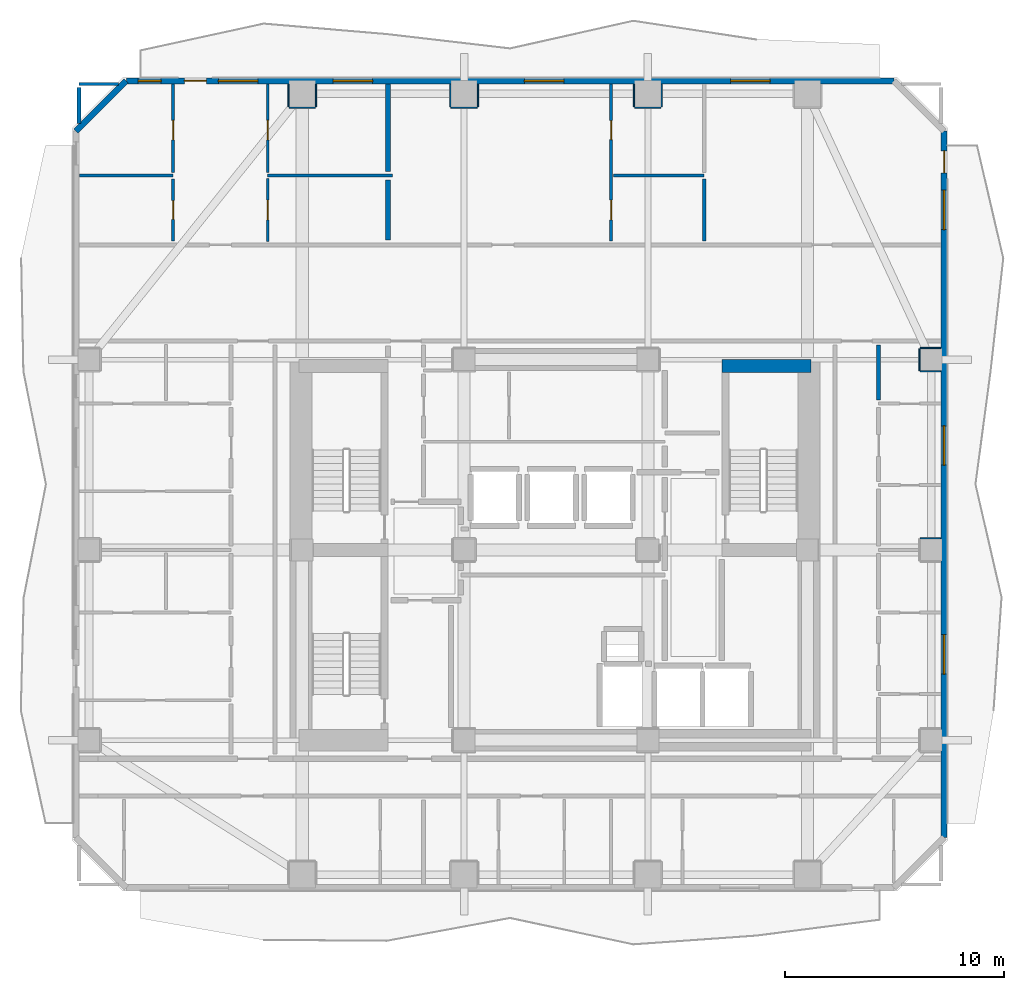
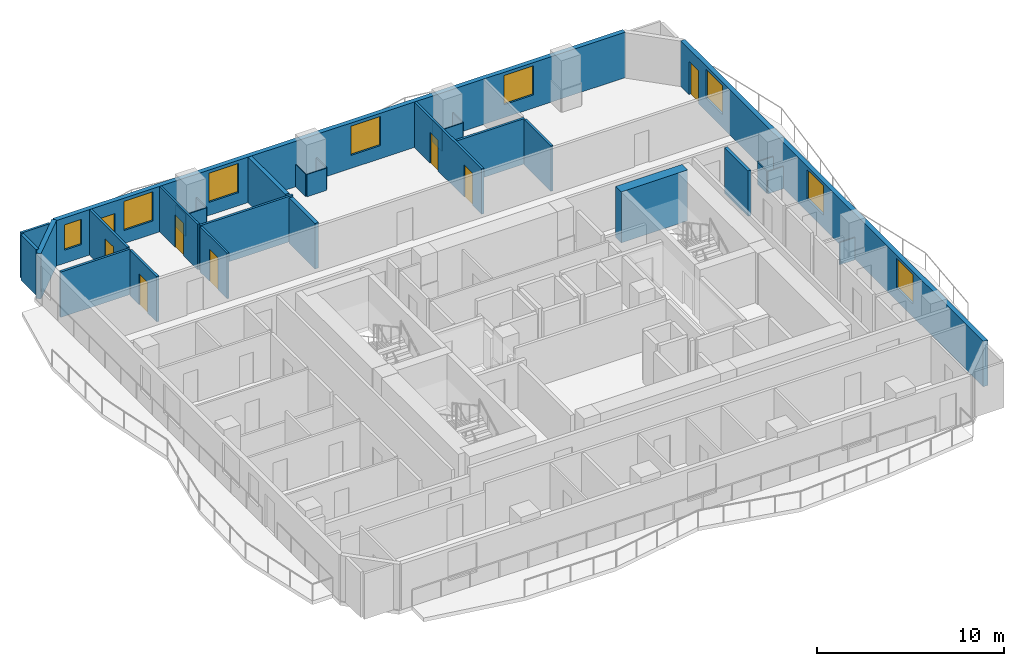
# One storey, part 6 of 11: 31 walls, 8 doors, 8 windows, 16 openings.
"""IFC4 building model written with IfcOpenShell, lengths in metres."""

from ifc_helpers import new_model, si_unit, direction, frame, frame_2d, origin, place, context, subcontext, project, spatial, rectangle, extrude, material, layer, layer_set, type_object, element, fill, save


model = new_model("IFC4")

# Units and contexts
model_context = context("Model", 3, precision=1e-05, world=origin(), true_north=direction((0.0, 1.0)))
body_context = subcontext(model_context, "Body", "Model", "MODEL_VIEW")
ifc_project = project(units=[si_unit("LENGTHUNIT", "METRE"), si_unit("AREAUNIT", "SQUARE_METRE"), si_unit("VOLUMEUNIT", "CUBIC_METRE"), si_unit("PLANEANGLEUNIT", "RADIAN"), si_unit("MASSUNIT", "GRAM", prefix="KILO")], contexts=[model_context])

# Site, building, storey
site_placement = place(None, origin())
site = spatial("IfcSite", under=ifc_project, at=site_placement, CompositionType="ELEMENT")
building_placement = place(site_placement, origin())
building = spatial("IfcBuilding", under=site, at=building_placement, Name="Solanera Arch Residences", CompositionType="ELEMENT")
storey_placement = place(building_placement, frame((0.0, 0.0, 169.159912109375)))
storey = spatial("IfcBuildingStorey", under=building, at=storey_placement, Name="L49", CompositionType="ELEMENT", Elevation=169.159912109375)

# Walls
ifc_material_1 = material(Name="Fire-Rated Gypsum Stud Partition", Category="gypsum")
ifc_layer_1 = layer(ifc_material_1, 0.06005859375)
ifc_layer_set_1 = layer_set([ifc_layer_1], Name="Fire-Rated Gypsum Stud Partition")
wall_type_1 = type_object("IfcWallType", Name="Column Acoustic Furring Wall 60", PredefinedType="PARTITIONING", material=ifc_layer_set_1)
wall_1_placement = place(storey_placement, frame((12.800048828125, 50.91796875, 0.0), z_axis=(0.0, 0.0, 1.0), x_axis=(1.0, 0.0, 0.0)))
element("IfcWall", 1, at=wall_1_placement, inside=storey, type_object=wall_type_1, Name="L49 Column Furring 10S", PredefinedType="PARTITIONING", context=body_context, shape_type="SweptSolid", body=[
    extrude(rectangle(XDim=1.199951171875, YDim=0.06005859375, at=frame_2d((0.60009765625, 0.0))), origin(), (0.0, 0.0, 1.0), 1.4501953125),
])
for number, where, z_axis, x_axis, name in (
    (2, (12.76806640625, 50.949951171875, 0.0), (0.0, 0.0, 1.0), (0.0, 1.0, 0.0), "L49 Column Furring 10W"),
    (3, (14.031982421875, 50.949951171875, 0.0), (0.0, 0.0, 1.0), (0.0, 1.0, 0.0), "L49 Column Furring 10E"),
):
    element("IfcWall", number, at=place(storey_placement, frame(where, z_axis=z_axis, x_axis=x_axis)), inside=storey, type_object=wall_type_1, Name=name, PredefinedType="PARTITIONING", context=body_context, shape_type="SweptSolid", body=[
        extrude(rectangle(XDim=1.0400390625, YDim=0.06005859375, at=frame_2d((0.52001953125, 0.0))), origin(), (0.0, 0.0, 1.0), 1.4501953125),
    ])
wall_2_placement = place(storey_placement, frame((20.199951171875, 50.91796875, 0.0), z_axis=(0.0, 0.0, 1.0), x_axis=(1.0, 0.0, 0.0)))
element("IfcWall", 4, at=wall_2_placement, inside=storey, type_object=wall_type_1, Name="L49 Column Furring 12S", PredefinedType="PARTITIONING", context=body_context, shape_type="SweptSolid", body=[
    extrude(rectangle(XDim=1.199951171875, YDim=0.06005859375, at=frame_2d((0.60009765625, 0.0))), origin(), (0.0, 0.0, 1.0), 1.4501953125),
])
for number, where, z_axis, x_axis, name in (
    (5, (20.16796875, 50.949951171875, 0.0), (0.0, 0.0, 1.0), (0.0, 1.0, 0.0), "L49 Column Furring 12W"),
    (6, (21.431884765625, 50.949951171875, 0.0), (0.0, 0.0, 1.0), (0.0, 1.0, 0.0), "L49 Column Furring 12E"),
):
    element("IfcWall", number, at=place(storey_placement, frame(where, z_axis=z_axis, x_axis=x_axis)), inside=storey, type_object=wall_type_1, Name=name, PredefinedType="PARTITIONING", context=body_context, shape_type="SweptSolid", body=[
        extrude(rectangle(XDim=1.0400390625, YDim=0.06005859375, at=frame_2d((0.52001953125, 0.0))), origin(), (0.0, 0.0, 1.0), 1.4501953125),
    ])
wall_3_placement = place(storey_placement, frame((28.60009765625, 50.91796875, 0.0), z_axis=(0.0, 0.0, 1.0), x_axis=(1.0, 0.0, 0.0)))
element("IfcWall", 7, at=wall_3_placement, inside=storey, type_object=wall_type_1, Name="L49 Column Furring 14S", PredefinedType="PARTITIONING", context=body_context, shape_type="SweptSolid", body=[
    extrude(rectangle(XDim=1.199951171875, YDim=0.06005859375, at=frame_2d((0.60009765625, 0.0))), origin(), (0.0, 0.0, 1.0), 1.4501953125),
])
for number, where, z_axis, x_axis, name in (
    (8, (28.568115234375, 50.949951171875, 0.0), (0.0, 0.0, 1.0), (0.0, 1.0, 0.0), "L49 Column Furring 14W"),
    (9, (29.83203125, 50.949951171875, 0.0), (0.0, 0.0, 1.0), (0.0, 1.0, 0.0), "L49 Column Furring 14E"),
):
    element("IfcWall", number, at=place(storey_placement, frame(where, z_axis=z_axis, x_axis=x_axis)), inside=storey, type_object=wall_type_1, Name=name, PredefinedType="PARTITIONING", context=body_context, shape_type="SweptSolid", body=[
        extrude(rectangle(XDim=1.0400390625, YDim=0.06005859375, at=frame_2d((0.52001953125, 0.0))), origin(), (0.0, 0.0, 1.0), 1.4501953125),
    ])
for number, where, z_axis, x_axis, name in (
    (10, (41.64990234375, 31.23193359375, 0.0), (0.0, 0.0, 1.0), (1.0, 0.0, 0.0), "L49 Column Furring 20N"),
    (11, (41.64990234375, 38.867919921875, 0.0), (0.0, 0.0, 1.0), (1.0, 0.0, 0.0), "L49 Column Furring 22S"),
    (12, (41.64990234375, 39.931884765625, 0.0), (0.0, 0.0, 1.0), (1.0, 0.0, 0.0), "L49 Column Furring 22N"),
):
    element("IfcWall", number, at=place(storey_placement, frame(where, z_axis=z_axis, x_axis=x_axis)), inside=storey, type_object=wall_type_1, Name=name, PredefinedType="PARTITIONING", context=body_context, shape_type="SweptSolid", body=[
        extrude(rectangle(XDim=0.940185546875, YDim=0.06005859375, at=frame_2d((0.47021484375, 0.0))), origin(), (0.0, 0.0, 1.0), 1.4501953125),
    ])
wall_4_placement = place(storey_placement, frame((41.617919921875, 38.89990234375, 0.0), z_axis=(0.0, 0.0, 1.0), x_axis=(0.0, 1.0, 0.0)))
element("IfcWall", 13, at=wall_4_placement, inside=storey, type_object=wall_type_1, Name="L49 Column Furring 22W", PredefinedType="PARTITIONING", context=body_context, shape_type="SweptSolid", body=[
    extrude(rectangle(XDim=1.0, YDim=0.06005859375, at=frame_2d((0.5, 0.0))), origin(), (0.0, 0.0, 1.0), 1.4501953125),
])
ifc_material_2 = material(Name="Concrete C40/50 (f'c = 45 MPa)", Category="concrete")
ifc_layer_2 = layer(ifc_material_2, 0.60009765625)
ifc_layer_set_2 = layer_set([ifc_layer_2], Name="Concrete C40/50 (f'c = 45 MPa)")
wall_type_2 = type_object("IfcWallType", Name="Core Shear Wall CW-600", PredefinedType="SHEAR", material=ifc_layer_set_2)
wall_5_placement = place(storey_placement, frame((32.580078125, 39.10009765625, 0.0), z_axis=(0.0, 0.0, 1.0), x_axis=(1.0, 0.0, 0.0)))
element("IfcWall", 14, at=wall_5_placement, inside=storey, type_object=wall_type_2, Name="L49 North-East Core Shear Wall", PredefinedType="SHEAR", context=body_context, shape_type="SweptSolid", body=[
    extrude(rectangle(XDim=4.079833984375, YDim=0.60009765625, at=frame_2d((2.0400390625, 0.0))), origin(), (0.0, 0.0, 1.0), 3.320068359375),
])
ifc_material_3 = material(Name="Autoclaved Aerated Concrete Blockwork", Category="masonry")
ifc_layer_3 = layer(ifc_material_3, 0.179931640625)
ifc_layer_set_3 = layer_set([ifc_layer_3], Name="Autoclaved Aerated Concrete Blockwork")
wall_type_3 = type_object("IfcWallType", Name="Corridor Fire Partition 180", PredefinedType="PARTITIONING", material=ifc_layer_set_3)
wall_6_placement = place(storey_placement, frame((3.199951171875, 50.205078125, 0.0), z_axis=(0.0, 0.0, 1.0), x_axis=(0.0, 1.0, 0.0)))
element("IfcWall", 15, at=wall_6_placement, inside=storey, type_object=wall_type_3, Name="L49 Interior Partition V7 2", PredefinedType="PARTITIONING", context=body_context, shape_type="SweptSolid", body=[
    extrude(rectangle(XDim=1.626953125, YDim=0.179931640625, at=frame_2d((0.8134765625, 0.0))), origin(), (0.0, 0.0, 1.0), 2.960205078125),
])
wall_7_placement = place(storey_placement, frame((39.75, 37.552978515625, 0.0), z_axis=(0.0, 0.0, 1.0), x_axis=(0.0, 1.0, 0.0)))
element("IfcWall", 16, at=wall_7_placement, inside=storey, type_object=wall_type_3, Name="L49 Interior Partition V14 6", PredefinedType="PARTITIONING", context=body_context, shape_type="SweptSolid", body=[
    extrude(rectangle(XDim=2.509033203125, YDim=0.179931640625, at=frame_2d((1.25439453125, 0.0))), origin(), (0.0, 0.0, 1.0), 2.960205078125),
])
ifc_material_4 = material(Name="Precast Concrete C35/45", Category="concrete")
ifc_layer_4 = layer(ifc_material_4, 0.280029296875)
ifc_layer_set_4 = layer_set([ifc_layer_4], Name="Precast Concrete C35/45")
wall_type_4 = type_object("IfcWallType", Name="Exterior Wall Precast Masonry-Frame 280", PredefinedType="STANDARD", material=ifc_layer_set_4)
wall_8_placement = place(storey_placement, frame((3.054931640625, 49.844970703125, 0.0), z_axis=(0.0, 0.0, 1.0), x_axis=(0.707106781187, 0.707106781187, 0.0)))
element("IfcWall", 17, at=wall_8_placement, inside=storey, type_object=wall_type_4, Name="L49 Tower Exterior Precast Masonry-Frame Wall CH1", PredefinedType="STANDARD", context=body_context, shape_type="SweptSolid", body=[
    extrude(rectangle(XDim=3.252685546875, YDim=0.280029296875, at=frame_2d((1.62646484375, 0.0))), origin(), (0.0, 0.0, 1.0), 2.960205078125),
])

# Wall, openings, door, windows
wall_9_placement = place(storey_placement, frame((5.35498046875, 52.14501953125, 0.0), z_axis=(0.0, 0.0, 1.0), x_axis=(1.0, 0.0, 0.0)))
wall_9 = element("IfcWall", 18, at=wall_9_placement, inside=storey, type_object=wall_type_4, Name="L49 Tower Exterior Precast Masonry-Frame Wall N", PredefinedType="STANDARD", context=body_context, shape_type="SweptSolid", body=[
    extrude(rectangle(XDim=35.090087890625, YDim=0.280029296875, at=frame_2d((17.544921875, 0.0))), origin(), (0.0, 0.0, 1.0), 2.960205078125),
])
opening_1_placement = place(wall_9_placement, frame((2.657958984375, 0.0, 0.0)))
opening_1 = element("IfcOpeningElement", 19, at=opening_1_placement, cuts=wall_9, Name="Opening DB-01", PredefinedType="OPENING", context=body_context, shape_type="SweptSolid", body=[
    extrude(rectangle(XDim=1.0, YDim=2.14990234375, at=frame_2d((0.5, 1.074951171875))), frame((0.0, 0.14990234375, 0.0), z_axis=(0.0, -1.0, 0.0), x_axis=(1.0, 0.0, 0.0)), (0.0, 0.0, 1.0), 0.3),
])
opening_2_placement = place(wall_9_placement, frame((4.2119140625, 0.0, 0.85009765625)))
opening_2 = element("IfcOpeningElement", 20, at=opening_2_placement, cuts=wall_9, Name="Opening W-03", PredefinedType="OPENING", context=body_context, shape_type="SweptSolid", body=[
    extrude(rectangle(XDim=1.800048828125, YDim=1.89990234375, at=frame_2d((0.89990234375, 0.949951171875))), frame((0.0, 0.14990234375, 0.0), z_axis=(0.0, -1.0, 0.0), x_axis=(1.0, 0.0, 0.0)), (0.0, 0.0, 1.0), 0.3),
])
opening_3_placement = place(wall_9_placement, frame((0.541015625, 0.0, 0.85009765625)))
opening_3 = element("IfcOpeningElement", 21, at=opening_3_placement, cuts=wall_9, Name="Opening W-07", PredefinedType="OPENING", context=body_context, shape_type="SweptSolid", body=[
    extrude(rectangle(XDim=1.050048828125, YDim=1.64990234375, at=frame_2d((0.52490234375, 0.824951171875))), frame((0.0, 0.14990234375, 0.0), z_axis=(0.0, -1.0, 0.0), x_axis=(1.0, 0.0, 0.0)), (0.0, 0.0, 1.0), 0.3),
])
opening_4_placement = place(wall_9_placement, frame((9.4580078125, 0.0, 0.85009765625)))
opening_4 = element("IfcOpeningElement", 22, at=opening_4_placement, cuts=wall_9, Name="Opening W-03", PredefinedType="OPENING", context=body_context, shape_type="SweptSolid", body=[
    extrude(rectangle(XDim=1.800048828125, YDim=1.89990234375, at=frame_2d((0.89990234375, 0.949951171875))), frame((0.0, 0.14990234375, 0.0), z_axis=(0.0, -1.0, 0.0), x_axis=(1.0, 0.0, 0.0)), (0.0, 0.0, 1.0), 0.3),
])
opening_5_placement = place(wall_9_placement, frame((18.205078125, 0.0, 0.85009765625)))
opening_5 = element("IfcOpeningElement", 23, at=opening_5_placement, cuts=wall_9, Name="Opening W-03", PredefinedType="OPENING", context=body_context, shape_type="SweptSolid", body=[
    extrude(rectangle(XDim=1.800048828125, YDim=1.89990234375, at=frame_2d((0.89990234375, 0.949951171875))), frame((0.0, 0.14990234375, 0.0), z_axis=(0.0, -1.0, 0.0), x_axis=(1.0, 0.0, 0.0)), (0.0, 0.0, 1.0), 0.3),
])
opening_6_placement = place(wall_9_placement, frame((27.634033203125, 0.0, 0.85009765625)))
opening_6 = element("IfcOpeningElement", 24, at=opening_6_placement, cuts=wall_9, Name="Opening W-03", PredefinedType="OPENING", context=body_context, shape_type="SweptSolid", body=[
    extrude(rectangle(XDim=1.800048828125, YDim=1.89990234375, at=frame_2d((0.89990234375, 0.949951171875))), frame((0.0, 0.14990234375, 0.0), z_axis=(0.0, -1.0, 0.0), x_axis=(1.0, 0.0, 0.0)), (0.0, 0.0, 1.0), 0.3),
])
ifc_material_5 = material(Name="Anodised Aluminium Alloy 6063-T6", Category="aluminium")
door_type_1 = type_object("IfcDoorType", Name="Glazed Balcony Swing Door DB-01", OperationType="NOTDEFINED", PredefinedType="DOOR", material=ifc_material_5)
door_1_placement = place(opening_1_placement, origin())
door_1 = element("IfcDoor", 25, at=door_1_placement, inside=storey, type_object=door_type_1, Name="DR-L49-OUT-02", OperationType="SINGLE_SWING_RIGHT", OverallHeight=2.14990234375, OverallWidth=1.0, PredefinedType="DOOR", context=body_context, shape_type="SweptSolid", body=[
    extrude(rectangle(XDim=1.0, YDim=2.14990234375, at=frame_2d((0.5, 1.074951171875))), frame((0.0, 0.02490234375, 0.0), z_axis=(0.0, -1.0, 0.0), x_axis=(1.0, 0.0, 0.0)), (0.0, 0.0, 1.0), 0.050048828125),
])
fill(opening_1, door_1)
ifc_material_6 = material(Name="Double Glazed Low-E Laminated Glass", Category="glass")
window_type_1 = type_object("IfcWindowType", Name="Punched Window W-03", PartitioningType="DOUBLE_PANEL_VERTICAL", PredefinedType="WINDOW", material=ifc_material_6)
window_1_placement = place(opening_2_placement, origin())
window_1 = element("IfcWindow", 26, at=window_1_placement, inside=storey, type_object=window_type_1, Name="L49 4904-LIV Punched Window", OverallHeight=1.89990234375, OverallWidth=1.800048828125, PartitioningType="SINGLE_PANEL", PredefinedType="WINDOW", context=body_context, shape_type="SweptSolid", body=[
    extrude(rectangle(XDim=1.800048828125, YDim=1.89990234375, at=frame_2d((0.89990234375, 0.949951171875))), frame((0.0, 0.030029296875, 0.0), z_axis=(0.0, -1.0, 0.0), x_axis=(1.0, 0.0, 0.0)), (0.0, 0.0, 1.0), 0.06005859375),
])
fill(opening_2, window_1)
window_2_placement = place(opening_4_placement, origin())
window_2 = element("IfcWindow", 27, at=window_2_placement, inside=storey, type_object=window_type_1, Name="L49 4904-BR2 Punched Window", OverallHeight=1.89990234375, OverallWidth=1.800048828125, PartitioningType="SINGLE_PANEL", PredefinedType="WINDOW", context=body_context, shape_type="SweptSolid", body=[
    extrude(rectangle(XDim=1.800048828125, YDim=1.89990234375, at=frame_2d((0.89990234375, 0.949951171875))), frame((0.0, 0.030029296875, 0.0), z_axis=(0.0, -1.0, 0.0), x_axis=(1.0, 0.0, 0.0)), (0.0, 0.0, 1.0), 0.06005859375),
])
fill(opening_4, window_2)
window_3_placement = place(opening_5_placement, origin())
window_3 = element("IfcWindow", 28, at=window_3_placement, inside=storey, type_object=window_type_1, Name="L49 4905-LIV Punched Window", OverallHeight=1.89990234375, OverallWidth=1.800048828125, PartitioningType="SINGLE_PANEL", PredefinedType="WINDOW", context=body_context, shape_type="SweptSolid", body=[
    extrude(rectangle(XDim=1.800048828125, YDim=1.89990234375, at=frame_2d((0.89990234375, 0.949951171875))), frame((0.0, 0.030029296875, 0.0), z_axis=(0.0, -1.0, 0.0), x_axis=(1.0, 0.0, 0.0)), (0.0, 0.0, 1.0), 0.06005859375),
])
fill(opening_5, window_3)
window_4_placement = place(opening_6_placement, origin())
window_4 = element("IfcWindow", 29, at=window_4_placement, inside=storey, type_object=window_type_1, Name="L49 AMN-OFF Punched Window", OverallHeight=1.89990234375, OverallWidth=1.800048828125, PartitioningType="SINGLE_PANEL", PredefinedType="WINDOW", context=body_context, shape_type="SweptSolid", body=[
    extrude(rectangle(XDim=1.800048828125, YDim=1.89990234375, at=frame_2d((0.89990234375, 0.949951171875))), frame((0.0, 0.030029296875, 0.0), z_axis=(0.0, -1.0, 0.0), x_axis=(1.0, 0.0, 0.0)), (0.0, 0.0, 1.0), 0.06005859375),
])
fill(opening_6, window_4)
ifc_material_7 = material(Name="Double Glazed Low-E Laminated Glass", Category="glass")
window_type_2 = type_object("IfcWindowType", Name="Punched Window W-07", PartitioningType="SINGLE_PANEL", PredefinedType="WINDOW", material=ifc_material_7)
window_5_placement = place(opening_3_placement, origin())
window_5 = element("IfcWindow", 30, at=window_5_placement, inside=storey, type_object=window_type_2, Name="L49 4904-BR1 Punched Window", OverallHeight=1.64990234375, OverallWidth=1.050048828125, PartitioningType="SINGLE_PANEL", PredefinedType="WINDOW", context=body_context, shape_type="SweptSolid", body=[
    extrude(rectangle(XDim=1.050048828125, YDim=1.64990234375, at=frame_2d((0.52490234375, 0.824951171875))), frame((0.0, 0.030029296875, 0.0), z_axis=(0.0, -1.0, 0.0), x_axis=(1.0, 0.0, 0.0)), (0.0, 0.0, 1.0), 0.06005859375),
])
fill(opening_3, window_5)

wall_10_placement = place(storey_placement, frame((42.7451171875, 49.844970703125, 0.0), z_axis=(0.0, 0.0, 1.0), x_axis=(0.0, -1.0, 0.0)))
wall_10 = element("IfcWall", 31, at=wall_10_placement, inside=storey, type_object=wall_type_4, Name="L49 Tower Exterior Precast Masonry-Frame Wall E", PredefinedType="STANDARD", context=body_context, shape_type="SweptSolid", body=[
    extrude(rectangle(XDim=32.2900390625, YDim=0.280029296875, at=frame_2d((16.14501953125, 0.0))), origin(), (0.0, 0.0, 1.0), 2.960205078125),
])
opening_7_placement = place(wall_10_placement, frame((0.904052734375, 0.0, 0.0)))
opening_7 = element("IfcOpeningElement", 32, at=opening_7_placement, cuts=wall_10, Name="Opening DB-01", PredefinedType="OPENING", context=body_context, shape_type="SweptSolid", body=[
    extrude(rectangle(XDim=1.0, YDim=2.14990234375, at=frame_2d((0.5, 1.074951171875))), frame((0.0, 0.14990234375, 0.0), z_axis=(0.0, -1.0, 0.0), x_axis=(1.0, 0.0, 0.0)), (0.0, 0.0, 1.0), 0.3),
])
opening_8_placement = place(wall_10_placement, frame((2.698974609375, 0.0, 0.85009765625)))
opening_8 = element("IfcOpeningElement", 33, at=opening_8_placement, cuts=wall_10, Name="Opening W-03", PredefinedType="OPENING", context=body_context, shape_type="SweptSolid", body=[
    extrude(rectangle(XDim=1.800048828125, YDim=1.89990234375, at=frame_2d((0.89990234375, 0.949951171875))), frame((0.0, 0.14990234375, 0.0), z_axis=(0.0, -1.0, 0.0), x_axis=(1.0, 0.0, 0.0)), (0.0, 0.0, 1.0), 0.3),
])
opening_9_placement = place(wall_10_placement, frame((23.02001953125, 0.0, 0.85009765625)))
opening_9 = element("IfcOpeningElement", 34, at=opening_9_placement, cuts=wall_10, Name="Opening W-03", PredefinedType="OPENING", context=body_context, shape_type="SweptSolid", body=[
    extrude(rectangle(XDim=1.800048828125, YDim=1.89990234375, at=frame_2d((0.89990234375, 0.949951171875))), frame((0.0, 0.14990234375, 0.0), z_axis=(0.0, -1.0, 0.0), x_axis=(1.0, 0.0, 0.0)), (0.0, 0.0, 1.0), 0.3),
])
opening_10_placement = place(wall_10_placement, frame((13.469970703125, 0.0, 0.85009765625)))
opening_10 = element("IfcOpeningElement", 35, at=opening_10_placement, cuts=wall_10, Name="Opening W-03", PredefinedType="OPENING", context=body_context, shape_type="SweptSolid", body=[
    extrude(rectangle(XDim=1.800048828125, YDim=1.89990234375, at=frame_2d((0.89990234375, 0.949951171875))), frame((0.0, 0.14990234375, 0.0), z_axis=(0.0, -1.0, 0.0), x_axis=(1.0, 0.0, 0.0)), (0.0, 0.0, 1.0), 0.3),
])
door_2_placement = place(opening_7_placement, origin())
door_2 = element("IfcDoor", 36, at=door_2_placement, inside=storey, type_object=door_type_1, Name="DR-L49-OUT-03", OperationType="SINGLE_SWING_LEFT", OverallHeight=2.14990234375, OverallWidth=1.0, PredefinedType="DOOR", context=body_context, shape_type="SweptSolid", body=[
    extrude(rectangle(XDim=1.0, YDim=2.14990234375, at=frame_2d((0.5, 1.074951171875))), frame((0.0, 0.02490234375, 0.0), z_axis=(0.0, -1.0, 0.0), x_axis=(1.0, 0.0, 0.0)), (0.0, 0.0, 1.0), 0.050048828125),
])
fill(opening_7, door_2)
window_6_placement = place(opening_8_placement, origin())
window_6 = element("IfcWindow", 37, at=window_6_placement, inside=storey, type_object=window_type_1, Name="L49 AMN-OFF Punched Window", OverallHeight=1.89990234375, OverallWidth=1.800048828125, PartitioningType="SINGLE_PANEL", PredefinedType="WINDOW", context=body_context, shape_type="SweptSolid", body=[
    extrude(rectangle(XDim=1.800048828125, YDim=1.89990234375, at=frame_2d((0.89990234375, 0.949951171875))), frame((0.0, 0.030029296875, 0.0), z_axis=(0.0, -1.0, 0.0), x_axis=(1.0, 0.0, 0.0)), (0.0, 0.0, 1.0), 0.06005859375),
])
fill(opening_8, window_6)
window_7_placement = place(opening_9_placement, origin())
window_7 = element("IfcWindow", 38, at=window_7_placement, inside=storey, type_object=window_type_1, Name="L49 4908-LIV Punched Window", OverallHeight=1.89990234375, OverallWidth=1.800048828125, PartitioningType="SINGLE_PANEL", PredefinedType="WINDOW", context=body_context, shape_type="SweptSolid", body=[
    extrude(rectangle(XDim=1.800048828125, YDim=1.89990234375, at=frame_2d((0.89990234375, 0.949951171875))), frame((0.0, 0.030029296875, 0.0), z_axis=(0.0, -1.0, 0.0), x_axis=(1.0, 0.0, 0.0)), (0.0, 0.0, 1.0), 0.06005859375),
])
fill(opening_9, window_7)
window_8_placement = place(opening_10_placement, origin())
window_8 = element("IfcWindow", 39, at=window_8_placement, inside=storey, type_object=window_type_1, Name="L49 4909-LIV Punched Window", OverallHeight=1.89990234375, OverallWidth=1.800048828125, PartitioningType="SINGLE_PANEL", PredefinedType="WINDOW", context=body_context, shape_type="SweptSolid", body=[
    extrude(rectangle(XDim=1.800048828125, YDim=1.89990234375, at=frame_2d((0.89990234375, 0.949951171875))), frame((0.0, 0.030029296875, 0.0), z_axis=(0.0, -1.0, 0.0), x_axis=(1.0, 0.0, 0.0)), (0.0, 0.0, 1.0), 0.06005859375),
])
fill(opening_10, window_8)

# Walls
ifc_material_8 = material(Name="Autoclaved Aerated Concrete Blockwork", Category="masonry")
ifc_layer_5 = layer(ifc_material_8, 0.239990234375)
ifc_layer_set_5 = layer_set([ifc_layer_5], Name="Autoclaved Aerated Concrete Blockwork")
wall_type_5 = type_object("IfcWallType", Name="Shaft Wall Fire-Rated 240", PredefinedType="PARTITIONING", material=ifc_layer_set_5)
wall_11_placement = place(storey_placement, frame((17.320068359375, 44.867919921875, 0.0), z_axis=(0.0, 0.0, 1.0), x_axis=(0.0, 1.0, 0.0)))
element("IfcWall", 40, at=wall_11_placement, inside=storey, type_object=wall_type_5, Name="L49 Interior Partition V2 1", PredefinedType="PARTITIONING", context=body_context, shape_type="SweptSolid", body=[
    extrude(rectangle(XDim=2.744140625, YDim=0.239990234375, at=frame_2d((1.3720703125, 0.0))), origin(), (0.0, 0.0, 1.0), 2.960205078125),
])
wall_12_placement = place(storey_placement, frame((17.320068359375, 48.008056640625, 0.0), z_axis=(0.0, 0.0, 1.0), x_axis=(0.0, 1.0, 0.0)))
element("IfcWall", 41, at=wall_12_placement, inside=storey, type_object=wall_type_5, Name="L49 Interior Partition V2 2", PredefinedType="PARTITIONING", context=body_context, shape_type="SweptSolid", body=[
    extrude(rectangle(XDim=3.98486328125, YDim=0.239990234375, at=frame_2d((1.992431640625, 0.0))), origin(), (0.0, 0.0, 1.0), 2.960205078125),
])

# Wall, opening, door
ifc_material_9 = material(Name="Fire-Rated Gypsum Stud Partition", Category="gypsum")
ifc_layer_6 = layer(ifc_material_9, 0.1201171875)
ifc_layer_set_6 = layer_set([ifc_layer_6], Name="Fire-Rated Gypsum Stud Partition")
wall_type_6 = type_object("IfcWallType", Name="Unit Drywall Partition 120", PredefinedType="PARTITIONING", material=ifc_layer_set_6)
wall_13_placement = place(storey_placement, frame((11.820068359375, 44.80810546875, 0.0), z_axis=(0.0, 0.0, 1.0), x_axis=(0.0, 1.0, 0.0)))
wall_13 = element("IfcWall", 42, at=wall_13_placement, inside=storey, type_object=wall_type_6, Name="L49 Interior Partition V25 1", PredefinedType="PARTITIONING", context=body_context, shape_type="SweptSolid", body=[
    extrude(rectangle(XDim=2.864013671875, YDim=0.1201171875, at=frame_2d((1.43212890625, 0.0))), origin(), (0.0, 0.0, 1.0), 2.960205078125),
])
opening_11_placement = place(wall_13_placement, frame((0.985107421875, 0.0, 0.0)))
opening_11 = element("IfcOpeningElement", 43, at=opening_11_placement, cuts=wall_13, Name="Opening DI-02", PredefinedType="OPENING", context=body_context, shape_type="SweptSolid", body=[
    extrude(rectangle(XDim=0.89990234375, YDim=2.10009765625, at=frame_2d((0.449951171875, 1.050048828125))), frame((0.0, 0.070068359375, 0.0), z_axis=(0.0, -1.0, 0.0), x_axis=(1.0, 0.0, 0.0)), (0.0, 0.0, 1.0), 0.1401),
])
ifc_material_10 = material(Name="Fire-Rated Architectural Hardwood", Category="wood")
door_type_2 = type_object("IfcDoorType", Name="Suite Room Swing Door DI-02", OperationType="NOTDEFINED", PredefinedType="DOOR", material=ifc_material_10)
door_3_placement = place(opening_11_placement, origin())
door_3 = element("IfcDoor", 44, at=door_3_placement, inside=storey, type_object=door_type_2, Name="DR-L49-IN-028", OperationType="SINGLE_SWING_RIGHT", OverallHeight=2.10009765625, OverallWidth=0.89990234375, PredefinedType="DOOR", context=body_context, shape_type="SweptSolid", body=[
    extrude(rectangle(XDim=0.89990234375, YDim=2.10009765625, at=frame_2d((0.449951171875, 1.050048828125))), frame((0.0, 0.02490234375, 0.0), z_axis=(0.0, -1.0, 0.0), x_axis=(1.0, 0.0, 0.0)), (0.0, 0.0, 1.0), 0.050048828125),
])
fill(opening_11, door_3)

wall_14_placement = place(storey_placement, frame((11.820068359375, 47.947998046875, 0.0), z_axis=(0.0, 0.0, 1.0), x_axis=(0.0, 1.0, 0.0)))
wall_14 = element("IfcWall", 45, at=wall_14_placement, inside=storey, type_object=wall_type_6, Name="L49 Interior Partition V25 2", PredefinedType="PARTITIONING", context=body_context, shape_type="SweptSolid", body=[
    extrude(rectangle(XDim=4.044921875, YDim=0.1201171875, at=frame_2d((2.0224609375, 0.0))), origin(), (0.0, 0.0, 1.0), 2.960205078125),
])
opening_12_placement = place(wall_14_placement, frame((1.493896484375, 0.0, 0.0)))
opening_12 = element("IfcOpeningElement", 46, at=opening_12_placement, cuts=wall_14, Name="Opening DI-03", PredefinedType="OPENING", context=body_context, shape_type="SweptSolid", body=[
    extrude(rectangle(XDim=0.89990234375, YDim=2.10009765625, at=frame_2d((0.449951171875, 1.050048828125))), frame((0.0, 0.070068359375, 0.0), z_axis=(0.0, -1.0, 0.0), x_axis=(1.0, 0.0, 0.0)), (0.0, 0.0, 1.0), 0.1401),
])
ifc_material_11 = material(Name="Fire-Rated Architectural Hardwood", Category="wood")
door_type_3 = type_object("IfcDoorType", Name="Bedroom Swing Door DI-03", OperationType="NOTDEFINED", PredefinedType="DOOR", material=ifc_material_11)
door_4_placement = place(opening_12_placement, origin())
door_4 = element("IfcDoor", 47, at=door_4_placement, inside=storey, type_object=door_type_3, Name="DR-L49-IN-029", OperationType="SINGLE_SWING_LEFT", OverallHeight=2.10009765625, OverallWidth=0.89990234375, PredefinedType="DOOR", context=body_context, shape_type="SweptSolid", body=[
    extrude(rectangle(XDim=0.89990234375, YDim=2.10009765625, at=frame_2d((0.449951171875, 1.050048828125))), frame((0.0, 0.02490234375, 0.0), z_axis=(0.0, -1.0, 0.0), x_axis=(1.0, 0.0, 0.0)), (0.0, 0.0, 1.0), 0.050048828125),
])
fill(opening_12, door_4)

# Walls
ifc_material_12 = material(Name="Autoclaved Aerated Concrete Blockwork", Category="masonry")
ifc_layer_7 = layer(ifc_material_12, 0.139892578125)
ifc_layer_set_7 = layer_set([ifc_layer_7], Name="Autoclaved Aerated Concrete Blockwork")
wall_type_7 = type_object("IfcWallType", Name="Wet-Room Partition 140", PredefinedType="PARTITIONING", material=ifc_layer_set_7)
wall_15_placement = place(storey_placement, frame((3.20703125, 47.81005859375, 0.0), z_axis=(0.0, 0.0, 1.0), x_axis=(1.0, 0.0, 0.0)))
element("IfcWall", 48, at=wall_15_placement, inside=storey, type_object=wall_type_7, Name="L49 Interior Partition H21", PredefinedType="PARTITIONING", context=body_context, shape_type="SweptSolid", body=[
    extrude(rectangle(XDim=4.291015625, YDim=0.139892578125, at=frame_2d((2.1455078125, 0.0))), origin(), (0.0, 0.0, 1.0), 2.960205078125),
])
wall_16_placement = place(storey_placement, frame((11.820068359375, 47.81005859375, 0.0), z_axis=(0.0, 0.0, 1.0), x_axis=(1.0, 0.0, 0.0)))
element("IfcWall", 49, at=wall_16_placement, inside=storey, type_object=wall_type_7, Name="L49 Interior Partition H22", PredefinedType="PARTITIONING", context=body_context, shape_type="SweptSolid", body=[
    extrude(rectangle(XDim=5.705810546875, YDim=0.139892578125, at=frame_2d((2.85302734375, 0.0))), origin(), (0.0, 0.0, 1.0), 2.960205078125),
])
wall_17_placement = place(storey_placement, frame((27.6201171875, 47.81005859375, 0.0), z_axis=(0.0, 0.0, 1.0), x_axis=(1.0, 0.0, 0.0)))
element("IfcWall", 50, at=wall_17_placement, inside=storey, type_object=wall_type_7, Name="L49 Interior Partition H23", PredefinedType="PARTITIONING", context=body_context, shape_type="SweptSolid", body=[
    extrude(rectangle(XDim=4.157958984375, YDim=0.139892578125, at=frame_2d((2.0791015625, 0.0))), origin(), (0.0, 0.0, 1.0), 2.960205078125),
])
wall_18_placement = place(storey_placement, frame((3.199951171875, 52.0, 0.0), z_axis=(0.0, 0.0, 1.0), x_axis=(1.0, 0.0, 0.0)))
element("IfcWall", 51, at=wall_18_placement, inside=storey, type_object=wall_type_7, Name="L49 Interior Partition H24 1", PredefinedType="PARTITIONING", context=body_context, shape_type="SweptSolid", body=[
    extrude(rectangle(XDim=1.795166015625, YDim=0.139892578125, at=frame_2d((0.8974609375, 0.0))), origin(), (0.0, 0.0, 1.0), 2.960205078125),
])

# Wall, opening, door
wall_19_placement = place(storey_placement, frame((7.498046875, 44.818115234375, 0.0), z_axis=(0.0, 0.0, 1.0), x_axis=(0.0, 1.0, 0.0)))
wall_19 = element("IfcWall", 52, at=wall_19_placement, inside=storey, type_object=wall_type_7, Name="L49 Interior Partition V19 1", PredefinedType="PARTITIONING", context=body_context, shape_type="SweptSolid", body=[
    extrude(rectangle(XDim=2.843994140625, YDim=0.139892578125, at=frame_2d((1.421875, 0.0))), origin(), (0.0, 0.0, 1.0), 2.960205078125),
])
opening_13_placement = place(wall_19_placement, frame((0.9951171875, 0.0, 0.0)))
opening_13 = element("IfcOpeningElement", 53, at=opening_13_placement, cuts=wall_19, Name="Opening DI-05", PredefinedType="OPENING", context=body_context, shape_type="SweptSolid", body=[
    extrude(rectangle(XDim=0.860107421875, YDim=2.02001953125, at=frame_2d((0.43017578125, 1.010009765625))), frame((0.0, 0.079833984375, 0.0), z_axis=(0.0, -1.0, 0.0), x_axis=(1.0, 0.0, 0.0)), (0.0, 0.0, 1.0), 0.1599),
])
ifc_material_13 = material(Name="Fire-Rated Architectural Hardwood", Category="wood")
door_type_4 = type_object("IfcDoorType", Name="Bathroom Swing Door DI-05", OperationType="NOTDEFINED", PredefinedType="DOOR", material=ifc_material_13)
door_5_placement = place(opening_13_placement, origin())
door_5 = element("IfcDoor", 54, at=door_5_placement, inside=storey, type_object=door_type_4, Name="DR-L49-IN-026", OperationType="SINGLE_SWING_RIGHT", OverallHeight=2.02001953125, OverallWidth=0.860107421875, PredefinedType="DOOR", context=body_context, shape_type="SweptSolid", body=[
    extrude(rectangle(XDim=0.860107421875, YDim=2.02001953125, at=frame_2d((0.43017578125, 1.010009765625))), frame((0.0, 0.02490234375, 0.0), z_axis=(0.0, -1.0, 0.0), x_axis=(1.0, 0.0, 0.0)), (0.0, 0.0, 1.0), 0.050048828125),
])
fill(opening_13, door_5)

wall_20_placement = place(storey_placement, frame((7.498046875, 47.9580078125, 0.0), z_axis=(0.0, 0.0, 1.0), x_axis=(0.0, 1.0, 0.0)))
wall_20 = element("IfcWall", 55, at=wall_20_placement, inside=storey, type_object=wall_type_7, Name="L49 Interior Partition V19 2", PredefinedType="PARTITIONING", context=body_context, shape_type="SweptSolid", body=[
    extrude(rectangle(XDim=4.034912109375, YDim=0.139892578125, at=frame_2d((2.017578125, 0.0))), origin(), (0.0, 0.0, 1.0), 2.960205078125),
])
opening_14_placement = place(wall_20_placement, frame((1.48388671875, 0.0, 0.0)))
opening_14 = element("IfcOpeningElement", 56, at=opening_14_placement, cuts=wall_20, Name="Opening DI-03", PredefinedType="OPENING", context=body_context, shape_type="SweptSolid", body=[
    extrude(rectangle(XDim=0.89990234375, YDim=2.10009765625, at=frame_2d((0.449951171875, 1.050048828125))), frame((0.0, 0.079833984375, 0.0), z_axis=(0.0, -1.0, 0.0), x_axis=(1.0, 0.0, 0.0)), (0.0, 0.0, 1.0), 0.1599),
])
door_6_placement = place(opening_14_placement, origin())
door_6 = element("IfcDoor", 57, at=door_6_placement, inside=storey, type_object=door_type_3, Name="DR-L49-IN-027", OperationType="SINGLE_SWING_LEFT", OverallHeight=2.10009765625, OverallWidth=0.89990234375, PredefinedType="DOOR", context=body_context, shape_type="SweptSolid", body=[
    extrude(rectangle(XDim=0.89990234375, YDim=2.10009765625, at=frame_2d((0.449951171875, 1.050048828125))), frame((0.0, 0.02490234375, 0.0), z_axis=(0.0, -1.0, 0.0), x_axis=(1.0, 0.0, 0.0)), (0.0, 0.0, 1.0), 0.050048828125),
])
fill(opening_14, door_6)

# Wall, openings, doors
wall_21_placement = place(storey_placement, frame((27.52001953125, 44.818115234375, 0.0), z_axis=(0.0, 0.0, 1.0), x_axis=(0.0, 1.0, 0.0)))
wall_21 = element("IfcWall", 58, at=wall_21_placement, inside=storey, type_object=wall_type_7, Name="L49 Interior Partition V22", PredefinedType="PARTITIONING", context=body_context, shape_type="SweptSolid", body=[
    extrude(rectangle(XDim=7.1748046875, YDim=0.139892578125, at=frame_2d((3.58740234375, 0.0))), origin(), (0.0, 0.0, 1.0), 2.960205078125),
])
opening_15_placement = place(wall_21_placement, frame((0.97509765625, 0.0, 0.0)))
opening_15 = element("IfcOpeningElement", 59, at=opening_15_placement, cuts=wall_21, Name="Opening DI-02", PredefinedType="OPENING", context=body_context, shape_type="SweptSolid", body=[
    extrude(rectangle(XDim=0.89990234375, YDim=2.10009765625, at=frame_2d((0.449951171875, 1.050048828125))), frame((0.0, 0.079833984375, 0.0), z_axis=(0.0, -1.0, 0.0), x_axis=(1.0, 0.0, 0.0)), (0.0, 0.0, 1.0), 0.1599),
])
opening_16_placement = place(wall_21_placement, frame((4.64404296875, 0.0, 0.0)))
opening_16 = element("IfcOpeningElement", 60, at=opening_16_placement, cuts=wall_21, Name="Opening DI-05", PredefinedType="OPENING", context=body_context, shape_type="SweptSolid", body=[
    extrude(rectangle(XDim=0.860107421875, YDim=2.02001953125, at=frame_2d((0.43017578125, 1.010009765625))), frame((0.0, 0.079833984375, 0.0), z_axis=(0.0, -1.0, 0.0), x_axis=(1.0, 0.0, 0.0)), (0.0, 0.0, 1.0), 0.1599),
])
door_7_placement = place(opening_16_placement, origin())
door_7 = element("IfcDoor", 61, at=door_7_placement, inside=storey, type_object=door_type_4, Name="DR-L49-IN-032", OperationType="SINGLE_SWING_RIGHT", OverallHeight=2.02001953125, OverallWidth=0.860107421875, PredefinedType="DOOR", context=body_context, shape_type="SweptSolid", body=[
    extrude(rectangle(XDim=0.860107421875, YDim=2.02001953125, at=frame_2d((0.43017578125, 1.010009765625))), frame((0.0, 0.02490234375, 0.0), z_axis=(0.0, -1.0, 0.0), x_axis=(1.0, 0.0, 0.0)), (0.0, 0.0, 1.0), 0.050048828125),
])
fill(opening_16, door_7)
door_8_placement = place(opening_15_placement, origin())
door_8 = element("IfcDoor", 62, at=door_8_placement, inside=storey, type_object=door_type_2, Name="DR-L49-IN-031", OperationType="SINGLE_SWING_LEFT", OverallHeight=2.10009765625, OverallWidth=0.89990234375, PredefinedType="DOOR", context=body_context, shape_type="SweptSolid", body=[
    extrude(rectangle(XDim=0.89990234375, YDim=2.10009765625, at=frame_2d((0.449951171875, 1.050048828125))), frame((0.0, 0.02490234375, 0.0), z_axis=(0.0, -1.0, 0.0), x_axis=(1.0, 0.0, 0.0)), (0.0, 0.0, 1.0), 0.050048828125),
])
fill(opening_15, door_8)

# Wall
wall_22_placement = place(storey_placement, frame((31.778076171875, 44.818115234375, 0.0), z_axis=(0.0, 0.0, 1.0), x_axis=(0.0, 1.0, 0.0)))
element("IfcWall", 63, at=wall_22_placement, inside=storey, type_object=wall_type_7, Name="L49 Interior Partition V24 1", PredefinedType="PARTITIONING", context=body_context, shape_type="SweptSolid", body=[
    extrude(rectangle(XDim=2.843994140625, YDim=0.139892578125, at=frame_2d((1.421875, 0.0))), origin(), (0.0, 0.0, 1.0), 2.960205078125),
])

save(model, "model.ifc")
